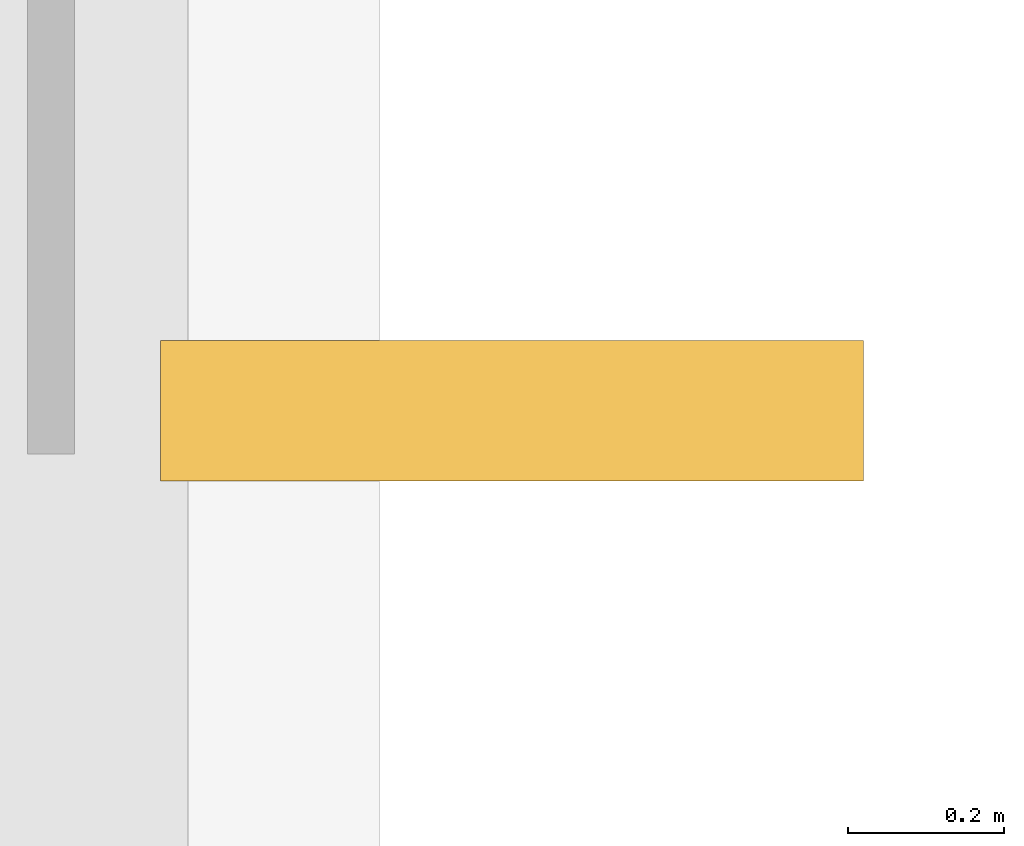
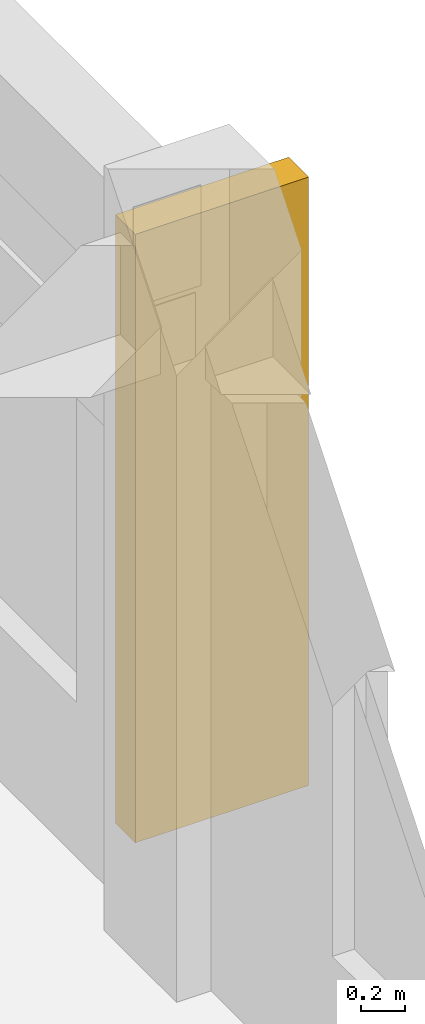
# One storey, part 89 of 90: 1 shading device.
"""IFC4 building model written with IfcOpenShell, lengths in metres."""

from ifc_helpers import new_model, si_unit, direction, frame, origin, origin_2d, place, context, subcontext, project, spatial, rectangle, extrude, material, type_object, element, save


model = new_model("IFC4")

# Units and contexts
model_context = context("Model", 3, precision=1e-05, world=origin(), true_north=direction((0.0, 1.0)))
body_context = subcontext(model_context, "Body", "Model", "MODEL_VIEW")
ifc_project = project(units=[si_unit("LENGTHUNIT", "METRE"), si_unit("AREAUNIT", "SQUARE_METRE"), si_unit("VOLUMEUNIT", "CUBIC_METRE"), si_unit("PLANEANGLEUNIT", "RADIAN"), si_unit("MASSUNIT", "GRAM", prefix="KILO")], contexts=[model_context])

# Site, building, storey
site_placement = place(None, origin())
site = spatial("IfcSite", under=ifc_project, at=site_placement, CompositionType="ELEMENT")
building_placement = place(site_placement, origin())
building = spatial("IfcBuilding", under=site, at=building_placement, Name="Trelvath General Hospital", CompositionType="ELEMENT")
storey_placement = place(building_placement, frame((0.0, 0.0, 20.39990234375)))
storey = spatial("IfcBuildingStorey", under=building, at=storey_placement, Name="L05", CompositionType="ELEMENT", Elevation=20.39990234375)

# Shading device
ifc_material = material(Name="Precast concrete C40/50", Category="concrete")
shading_device_type = type_object("IfcShadingDeviceType", Name="BriseSoleil PrecastFin900", PredefinedType="JALOUSIE", material=ifc_material)
shading_device_placement = place(storey_placement, frame((134.989990234375, 101.74072265625, 0.0), z_axis=(0.0, 0.0, 1.0), x_axis=(1.0, 0.0, 0.0)))
element("IfcShadingDevice", 1, at=shading_device_placement, inside=storey, type_object=shading_device_type, Name="Solar Brise-Soleil Screen L05-91", PredefinedType="JALOUSIE", context=body_context, shape_type="SweptSolid", body=[
    extrude(rectangle(XDim=0.89990234375, YDim=0.179931640625, at=origin_2d()), origin(), (0.0, 0.0, 1.0), 3.340087890625),
])

save(model, "model.ifc")
